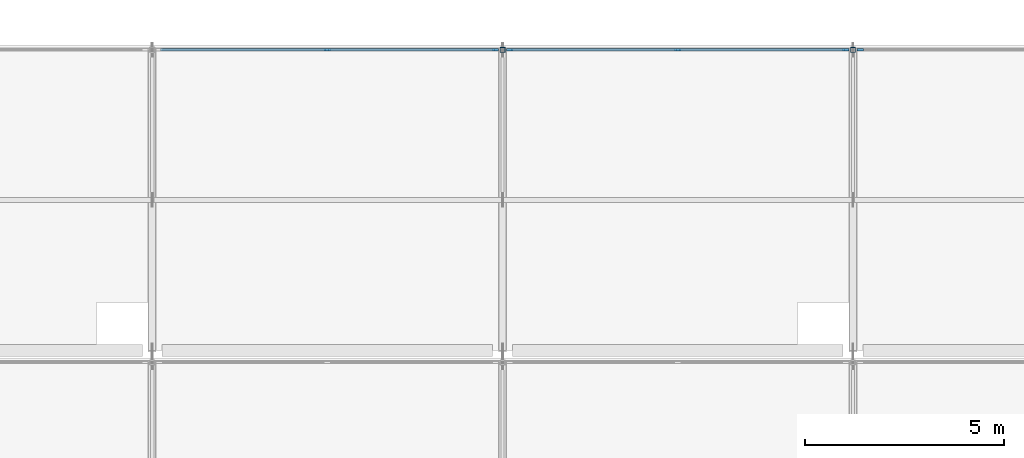
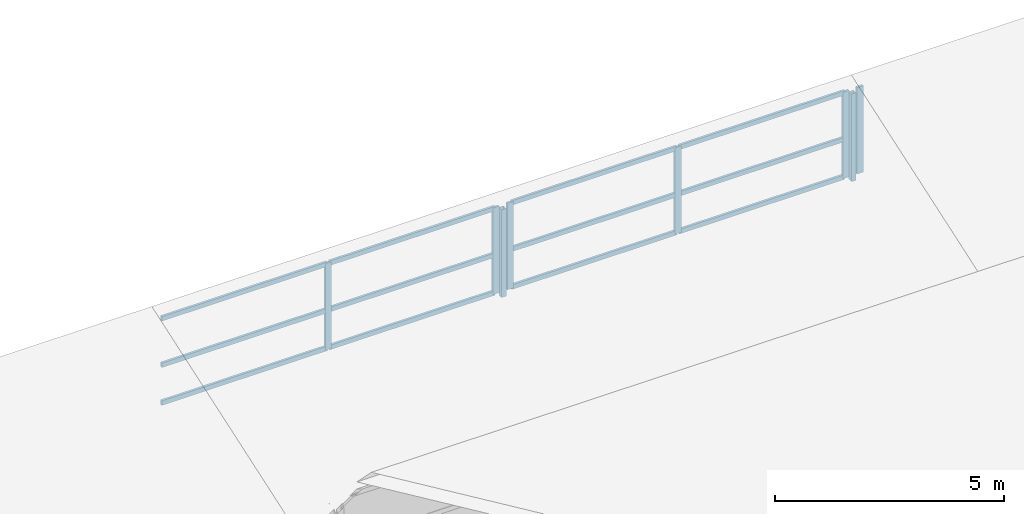
# One storey, part 19 of 40: 20 members, 3 elements without a shape of their own.
"""IFC4 building model written with IfcOpenShell, lengths in metres."""

from ifc_helpers import new_model, si_unit, direction, frame, origin, origin_2d, place, context, subcontext, project, spatial, rectangle, hollow_rectangle, extrude, material, material_profile, profile_set, type_object, element, aggregate, save


model = new_model("IFC4")

# Units and contexts
model_context = context("Model", 3, precision=1e-05, world=origin(), true_north=direction((0.0, 1.0)))
body_context = subcontext(model_context, "Body", "Model", "MODEL_VIEW")
ifc_project = project(units=[si_unit("LENGTHUNIT", "METRE"), si_unit("AREAUNIT", "SQUARE_METRE"), si_unit("VOLUMEUNIT", "CUBIC_METRE"), si_unit("PLANEANGLEUNIT", "RADIAN"), si_unit("MASSUNIT", "GRAM", prefix="KILO")], contexts=[model_context])

# Site, building, storey
site_placement = place(None, origin())
site = spatial("IfcSite", under=ifc_project, at=site_placement, CompositionType="ELEMENT")
building_placement = place(site_placement, origin())
building = spatial("IfcBuilding", under=site, at=building_placement, Name="Brinegate Botanical Conservatory", CompositionType="ELEMENT")
storey_placement = place(building_placement, frame((0.0, 0.0, 19.199951171875)))
storey = spatial("IfcBuildingStorey", under=building, at=storey_placement, Name="L05", CompositionType="ELEMENT", Elevation=19.199951171875)

# Curtain wall, members
ifc_material_1 = material(Name="Thermally broken anodised aluminium AW-6063-T6", Category="aluminium")
curtain_wall_type = type_object("IfcCurtainWallType", Name="CW_CW-SAW", PredefinedType="USERDEFINED", material=ifc_material_1)
curtain_wall_1_placement = place(storey_placement, origin())
curtain_wall_1 = element("IfcCurtainWall", 1, at=curtain_wall_1_placement, inside=storey, type_object=curtain_wall_type, Name="Sawtooth north-light clerestory B3.5", ObjectType="FACTORY CURTAIN WALL", PredefinedType="USERDEFINED")
ifc_material_profile_1 = material_profile(ifc_material_1, rectangle(XDim=0.06005859375, YDim=0.159912109375, at=origin_2d()), Name="ALUM MULLION 60x160")
ifc_profile_set_1 = profile_set([ifc_material_profile_1], Name="Thermally broken anodised aluminium AW-6063-T6")
member_type_1 = type_object("IfcMemberType", Name="Member_ML-01", PredefinedType="MULLION", material=ifc_profile_set_1)
member_1_placement = place(storey_placement, frame((90.39990234375, 111.14990234375, 0.150146484375), z_axis=(0.0, 0.0, 1.0), x_axis=(0.0, 1.0, 0.0)))
member_1 = element("IfcMember", 2, at=member_1_placement, type_object=member_type_1, Name="CW-SAW mullion 2", PredefinedType="MULLION", context=body_context, shape_type="SweptSolid", body=[
    extrude(rectangle(XDim=0.06005859375, YDim=0.159912109375, at=origin_2d()), origin(), (0.0, 0.0, 1.0), 2.2998046875),
])
member_2_placement = place(storey_placement, frame((94.6201171875, 111.14990234375, 0.150146484375), z_axis=(0.0, 0.0, 1.0), x_axis=(0.0, 1.0, 0.0)))
member_2 = element("IfcMember", 3, at=member_2_placement, type_object=member_type_1, Name="CW-SAW mullion 3", PredefinedType="MULLION", context=body_context, shape_type="SweptSolid", body=[
    extrude(rectangle(XDim=0.06005859375, YDim=0.159912109375, at=origin_2d()), origin(), (0.0, 0.0, 1.0), 2.2998046875),
])

curtain_wall_2_placement = place(storey_placement, origin())
curtain_wall_2 = element("IfcCurtainWall", 4, at=curtain_wall_2_placement, inside=storey, type_object=curtain_wall_type, Name="Sawtooth north-light clerestory B3.6", ObjectType="FACTORY CURTAIN WALL", PredefinedType="USERDEFINED")
member_3_placement = place(storey_placement, frame((94.97998046875, 111.14990234375, 0.150146484375), z_axis=(0.0, 0.0, 1.0), x_axis=(0.0, 1.0, 0.0)))
member_3 = element("IfcMember", 5, at=member_3_placement, type_object=member_type_1, Name="CW-SAW mullion 1", PredefinedType="MULLION", context=body_context, shape_type="SweptSolid", body=[
    extrude(rectangle(XDim=0.06005859375, YDim=0.159912109375, at=origin_2d()), origin(), (0.0, 0.0, 1.0), 2.2998046875),
])
member_4_placement = place(storey_placement, frame((99.199951171875, 111.14990234375, 0.150146484375), z_axis=(0.0, 0.0, 1.0), x_axis=(0.0, 1.0, 0.0)))
member_4 = element("IfcMember", 6, at=member_4_placement, type_object=member_type_1, Name="CW-SAW mullion 2", PredefinedType="MULLION", context=body_context, shape_type="SweptSolid", body=[
    extrude(rectangle(XDim=0.06005859375, YDim=0.159912109375, at=origin_2d()), origin(), (0.0, 0.0, 1.0), 2.2998046875),
])
member_5_placement = place(storey_placement, frame((103.419921875, 111.14990234375, 0.150146484375), z_axis=(0.0, 0.0, 1.0), x_axis=(0.0, 1.0, 0.0)))
member_5 = element("IfcMember", 7, at=member_5_placement, type_object=member_type_1, Name="CW-SAW mullion 3", PredefinedType="MULLION", context=body_context, shape_type="SweptSolid", body=[
    extrude(rectangle(XDim=0.06005859375, YDim=0.159912109375, at=origin_2d()), origin(), (0.0, 0.0, 1.0), 2.2998046875),
])

# Curtain wall, member
curtain_wall_3_placement = place(storey_placement, origin())
curtain_wall_3 = element("IfcCurtainWall", 8, at=curtain_wall_3_placement, inside=storey, type_object=curtain_wall_type, Name="Sawtooth north-light clerestory B3.7", ObjectType="FACTORY CURTAIN WALL", PredefinedType="USERDEFINED")
member_6_placement = place(storey_placement, frame((103.780029296875, 111.14990234375, 0.150146484375), z_axis=(0.0, 0.0, 1.0), x_axis=(0.0, 1.0, 0.0)))
member_6 = element("IfcMember", 9, at=member_6_placement, type_object=member_type_1, Name="CW-SAW mullion 1", PredefinedType="MULLION", context=body_context, shape_type="SweptSolid", body=[
    extrude(rectangle(XDim=0.06005859375, YDim=0.159912109375, at=origin_2d()), origin(), (0.0, 0.0, 1.0), 2.2998046875),
])
aggregate(curtain_wall_3, [member_6])

# Members
ifc_material_2 = material(Name="Structural steel Q355B / S355", Category="steel")
ifc_material_profile_2 = material_profile(ifc_material_2, hollow_rectangle(XDim=0.1201171875, YDim=0.1201171875, WallThickness=0.006103515625, at=origin_2d()), Name="SHS 120x120x6")
ifc_profile_set_2 = profile_set([ifc_material_profile_2], Name="Structural steel Q355B / S355")
member_type_2 = type_object("IfcMemberType", Name="Member_SS-01", PredefinedType="STRUT", material=ifc_profile_set_2)
for number, where, z_axis, x_axis, name in (
    (10, (94.800048828125, 111.14990234375, 0.02001953125), (0.0, 0.0, 1.0), (1.0, 0.0, 0.0), "Sawtooth north clerestory post SS-01 B3.T6"),
    (11, (103.60009765625, 111.14990234375, 0.02001953125), (0.0, 0.0, 1.0), (1.0, 0.0, 0.0), "Sawtooth north clerestory post SS-01 B3.T7"),
):
    element("IfcMember", number, at=place(storey_placement, frame(where, z_axis=z_axis, x_axis=x_axis)), inside=storey, type_object=member_type_2, Name=name, PredefinedType="STRUT", context=body_context, shape_type="SweptSolid", body=[
        extrude(hollow_rectangle(XDim=0.1201171875, YDim=0.1201171875, WallThickness=0.006103515625, at=origin_2d()), origin(), (0.0, 0.0, 1.0), 2.330078125),
    ])

# Member
ifc_material_profile_3 = material_profile(ifc_material_1, rectangle(XDim=0.06005859375, YDim=0.1201171875, at=origin_2d()), Name="ALUM TRANSOM 60x120")
ifc_profile_set_3 = profile_set([ifc_material_profile_3], Name="Thermally broken anodised aluminium AW-6063-T6")
member_type_3 = type_object("IfcMemberType", Name="Member_TR-01", PredefinedType="USERDEFINED", material=ifc_profile_set_3)
member_7_placement = place(storey_placement, frame((86.2099609375, 111.14990234375, 0.179931640625), z_axis=(1.0, 0.0, 0.0), x_axis=(0.0, 1.0, 0.0)))
member_7 = element("IfcMember", 12, at=member_7_placement, type_object=member_type_3, Name="CW-SAW transom 1.1", ObjectType="TRANSOM", PredefinedType="USERDEFINED", context=body_context, shape_type="SweptSolid", body=[
    extrude(rectangle(XDim=0.06005859375, YDim=0.1201171875, at=origin_2d()), origin(), (0.0, 0.0, 1.0), 4.16015625),
])

member_8_placement = place(storey_placement, frame((86.2099609375, 111.14990234375, 1.18505859375), z_axis=(1.0, 0.0, 0.0), x_axis=(0.0, 1.0, 0.0)))
member_8 = element("IfcMember", 13, at=member_8_placement, type_object=member_type_3, Name="CW-SAW transom 1.2", ObjectType="TRANSOM", PredefinedType="USERDEFINED", context=body_context, shape_type="SweptSolid", body=[
    extrude(rectangle(XDim=0.06005859375, YDim=0.1201171875, at=origin_2d()), origin(), (0.0, 0.0, 1.0), 4.16015625),
])

member_9_placement = place(storey_placement, frame((86.2099609375, 111.14990234375, 2.420166015625), z_axis=(1.0, 0.0, 0.0), x_axis=(0.0, 1.0, 0.0)))
member_9 = element("IfcMember", 14, at=member_9_placement, type_object=member_type_3, Name="CW-SAW transom 1.3", ObjectType="TRANSOM", PredefinedType="USERDEFINED", context=body_context, shape_type="SweptSolid", body=[
    extrude(rectangle(XDim=0.06005859375, YDim=0.1201171875, at=origin_2d()), origin(), (0.0, 0.0, 1.0), 4.16015625),
])

member_10_placement = place(storey_placement, frame((90.429931640625, 111.14990234375, 0.179931640625), z_axis=(1.0, 0.0, 0.0), x_axis=(0.0, 1.0, 0.0)))
member_10 = element("IfcMember", 15, at=member_10_placement, type_object=member_type_3, Name="CW-SAW transom 2.1", ObjectType="TRANSOM", PredefinedType="USERDEFINED", context=body_context, shape_type="SweptSolid", body=[
    extrude(rectangle(XDim=0.06005859375, YDim=0.1201171875, at=origin_2d()), origin(), (0.0, 0.0, 1.0), 4.16015625),
])

member_11_placement = place(storey_placement, frame((90.429931640625, 111.14990234375, 1.18505859375), z_axis=(1.0, 0.0, 0.0), x_axis=(0.0, 1.0, 0.0)))
member_11 = element("IfcMember", 16, at=member_11_placement, type_object=member_type_3, Name="CW-SAW transom 2.2", ObjectType="TRANSOM", PredefinedType="USERDEFINED", context=body_context, shape_type="SweptSolid", body=[
    extrude(rectangle(XDim=0.06005859375, YDim=0.1201171875, at=origin_2d()), origin(), (0.0, 0.0, 1.0), 4.16015625),
])

member_12_placement = place(storey_placement, frame((90.429931640625, 111.14990234375, 2.420166015625), z_axis=(1.0, 0.0, 0.0), x_axis=(0.0, 1.0, 0.0)))
member_12 = element("IfcMember", 17, at=member_12_placement, type_object=member_type_3, Name="CW-SAW transom 2.3", ObjectType="TRANSOM", PredefinedType="USERDEFINED", context=body_context, shape_type="SweptSolid", body=[
    extrude(rectangle(XDim=0.06005859375, YDim=0.1201171875, at=origin_2d()), origin(), (0.0, 0.0, 1.0), 4.16015625),
])

aggregate(curtain_wall_1, [member_1, member_2, member_7, member_8, member_9, member_10, member_11, member_12])

member_13_placement = place(storey_placement, frame((95.010009765625, 111.14990234375, 0.179931640625), z_axis=(1.0, 0.0, 0.0), x_axis=(0.0, 1.0, 0.0)))
member_13 = element("IfcMember", 18, at=member_13_placement, type_object=member_type_3, Name="CW-SAW transom 1.1", ObjectType="TRANSOM", PredefinedType="USERDEFINED", context=body_context, shape_type="SweptSolid", body=[
    extrude(rectangle(XDim=0.06005859375, YDim=0.1201171875, at=origin_2d()), origin(), (0.0, 0.0, 1.0), 4.159912109375),
])

member_14_placement = place(storey_placement, frame((95.010009765625, 111.14990234375, 1.18505859375), z_axis=(1.0, 0.0, 0.0), x_axis=(0.0, 1.0, 0.0)))
member_14 = element("IfcMember", 19, at=member_14_placement, type_object=member_type_3, Name="CW-SAW transom 1.2", ObjectType="TRANSOM", PredefinedType="USERDEFINED", context=body_context, shape_type="SweptSolid", body=[
    extrude(rectangle(XDim=0.06005859375, YDim=0.1201171875, at=origin_2d()), origin(), (0.0, 0.0, 1.0), 4.159912109375),
])

member_15_placement = place(storey_placement, frame((95.010009765625, 111.14990234375, 2.420166015625), z_axis=(1.0, 0.0, 0.0), x_axis=(0.0, 1.0, 0.0)))
member_15 = element("IfcMember", 20, at=member_15_placement, type_object=member_type_3, Name="CW-SAW transom 1.3", ObjectType="TRANSOM", PredefinedType="USERDEFINED", context=body_context, shape_type="SweptSolid", body=[
    extrude(rectangle(XDim=0.06005859375, YDim=0.1201171875, at=origin_2d()), origin(), (0.0, 0.0, 1.0), 4.159912109375),
])

member_16_placement = place(storey_placement, frame((99.22998046875, 111.14990234375, 0.179931640625), z_axis=(1.0, 0.0, 0.0), x_axis=(0.0, 1.0, 0.0)))
member_16 = element("IfcMember", 21, at=member_16_placement, type_object=member_type_3, Name="CW-SAW transom 2.1", ObjectType="TRANSOM", PredefinedType="USERDEFINED", context=body_context, shape_type="SweptSolid", body=[
    extrude(rectangle(XDim=0.06005859375, YDim=0.1201171875, at=origin_2d()), origin(), (0.0, 0.0, 1.0), 4.159912109375),
])

member_17_placement = place(storey_placement, frame((99.22998046875, 111.14990234375, 1.18505859375), z_axis=(1.0, 0.0, 0.0), x_axis=(0.0, 1.0, 0.0)))
member_17 = element("IfcMember", 22, at=member_17_placement, type_object=member_type_3, Name="CW-SAW transom 2.2", ObjectType="TRANSOM", PredefinedType="USERDEFINED", context=body_context, shape_type="SweptSolid", body=[
    extrude(rectangle(XDim=0.06005859375, YDim=0.1201171875, at=origin_2d()), origin(), (0.0, 0.0, 1.0), 4.159912109375),
])

member_18_placement = place(storey_placement, frame((99.22998046875, 111.14990234375, 2.420166015625), z_axis=(1.0, 0.0, 0.0), x_axis=(0.0, 1.0, 0.0)))
member_18 = element("IfcMember", 23, at=member_18_placement, type_object=member_type_3, Name="CW-SAW transom 2.3", ObjectType="TRANSOM", PredefinedType="USERDEFINED", context=body_context, shape_type="SweptSolid", body=[
    extrude(rectangle(XDim=0.06005859375, YDim=0.1201171875, at=origin_2d()), origin(), (0.0, 0.0, 1.0), 4.159912109375),
])

aggregate(curtain_wall_2, [member_3, member_4, member_5, member_13, member_14, member_15, member_16, member_17, member_18])

save(model, "model.ifc")
